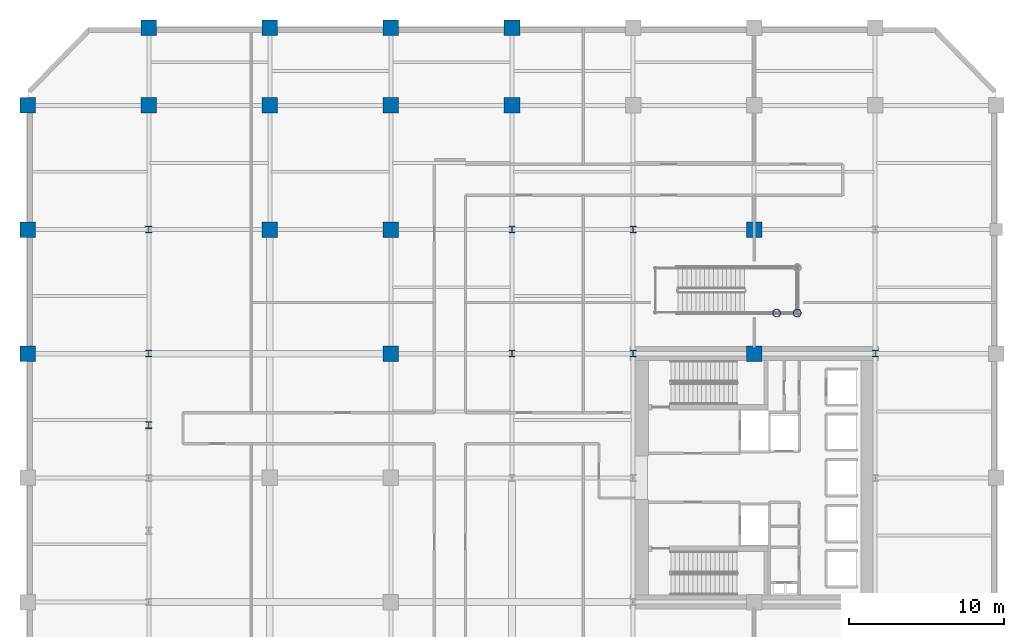
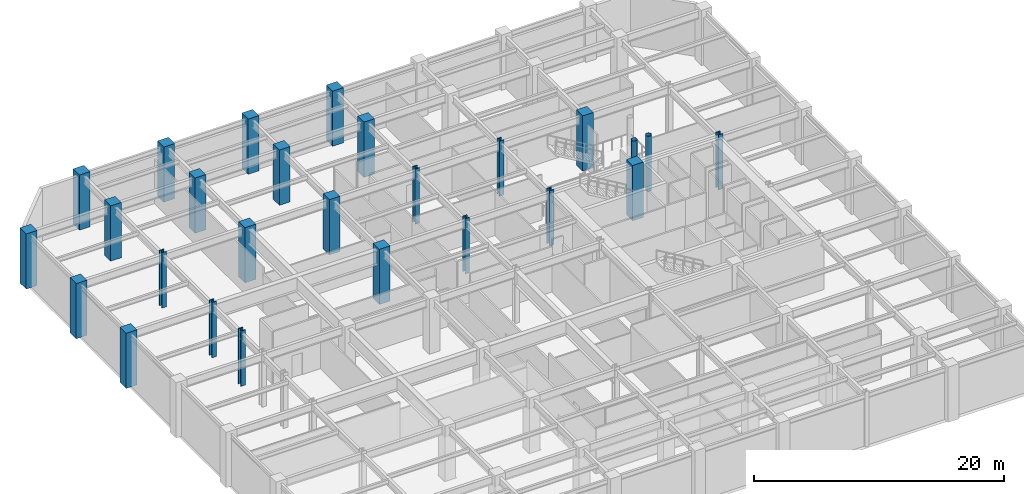
# One storey, part 3 of 12: 26 columns.
"""IFC4 building model written with IfcOpenShell, lengths in metres."""

from ifc_helpers import new_model, si_unit, direction, frame, origin, origin_2d, place, context, subcontext, project, spatial, rectangle, hollow_circle, i_section, extrude, material, material_profile, profile_set, type_object, element, save


model = new_model("IFC4")

# Units and contexts
model_context = context("Model", 3, precision=1e-05, world=origin(), true_north=direction((0.0, 1.0)))
body_context = subcontext(model_context, "Body", "Model", "MODEL_VIEW")
ifc_project = project(units=[si_unit("LENGTHUNIT", "METRE"), si_unit("AREAUNIT", "SQUARE_METRE"), si_unit("VOLUMEUNIT", "CUBIC_METRE"), si_unit("PLANEANGLEUNIT", "RADIAN"), si_unit("MASSUNIT", "GRAM", prefix="KILO")], contexts=[model_context])

# Site, building, storey
site_placement = place(None, origin())
site = spatial("IfcSite", under=ifc_project, at=site_placement, CompositionType="ELEMENT")
building_placement = place(site_placement, origin())
building = spatial("IfcBuilding", under=site, at=building_placement, Name="Veymaron Broadcast Tower", CompositionType="ELEMENT")
storey_placement = place(building_placement, frame((0.0, 0.0, 10.800048828125)))
storey = spatial("IfcBuildingStorey", under=building, at=storey_placement, Name="L02", CompositionType="ELEMENT", Elevation=10.800048828125)

# Columns
ifc_material_1 = material(Name="Structural steel ASTM A913 Gr 65", Category="steel")
ifc_material_profile_1 = material_profile(ifc_material_1, i_section(OverallWidth=0.424072265625, OverallDepth=0.47412109375, WebThickness=0.047607421875, FlangeThickness=0.076904296875, at=origin_2d()), Name="W360X634")
ifc_profile_set_1 = profile_set([ifc_material_profile_1], Name="Structural steel ASTM A913 Gr 65")
column_type_1 = type_object("IfcColumnType", Name="COL-MC1", PredefinedType="COLUMN", material=ifc_profile_set_1)
column_placement = place(storey_placement, frame((7.800048828125, 27.39990234375, 0.0), z_axis=(0.0, 0.0, 1.0), x_axis=(1.0, 0.0, 0.0)))
element("IfcColumn", 1, at=column_placement, inside=storey, type_object=column_type_1, Name="L02 Mega Column podium base", PredefinedType="COLUMN", context=body_context, shape_type="SweptSolid", body=[
    extrude(i_section(OverallWidth=0.424072265625, OverallDepth=0.47412109375, WebThickness=0.047607421875, FlangeThickness=0.076904296875, at=origin_2d()), origin(), (0.0, 0.0, 1.0), 5.39404296875),
])
ifc_material_profile_2 = material_profile(ifc_material_1, i_section(OverallWidth=0.41796875, OverallDepth=0.455078125, WebThickness=0.0419921875, FlangeThickness=0.067626953125, at=origin_2d()), Name="W360X551")
ifc_profile_set_2 = profile_set([ifc_material_profile_2], Name="Structural steel ASTM A913 Gr 65")
column_type_2 = type_object("IfcColumnType", Name="COL-MC2", PredefinedType="COLUMN", material=ifc_profile_set_2)
for number, where, z_axis, x_axis, name in (
    (2, (7.800048828125, 32.0, 0.0), (0.0, 0.0, 1.0), (1.0, 0.0, 0.0), "L02 column (7.8, 32.0)"),
    (3, (7.800048828125, 40.0, 0.0), (0.0, 0.0, 1.0), (1.0, 0.0, 0.0), "L02 column (7.8, 40.0)"),
    (4, (31.199951171875, 32.0, 0.0), (0.0, 0.0, 1.0), (1.0, 0.0, 0.0), "L02 column (31.2, 32.0)"),
    (5, (31.199951171875, 40.0, 0.0), (0.0, 0.0, 1.0), (1.0, 0.0, 0.0), "L02 column (31.2, 40.0)"),
    (6, (39.0, 32.0, 0.0), (0.0, 0.0, 1.0), (1.0, 0.0, 0.0), "L02 column (39.0, 32.0)"),
    (7, (39.0, 40.0, 0.0), (0.0, 0.0, 1.0), (1.0, 0.0, 0.0), "L02 column (39.0, 40.0)"),
    (8, (54.60009765625, 32.0, 0.0), (0.0, 0.0, 1.0), (1.0, 0.0, 0.0), "L02 column (54.6, 32.0)"),
):
    element("IfcColumn", number, at=place(storey_placement, frame(where, z_axis=z_axis, x_axis=x_axis)), inside=storey, type_object=column_type_2, Name=name, PredefinedType="COLUMN", context=body_context, shape_type="SweptSolid", body=[
        extrude(i_section(OverallWidth=0.41796875, OverallDepth=0.455078125, WebThickness=0.0419921875, FlangeThickness=0.067626953125, at=origin_2d()), origin(), (0.0, 0.0, 1.0), 5.39501953125),
    ])
ifc_material_2 = material(Name="Structural steel ASTM A992 Gr 50", Category="steel")
ifc_material_profile_3 = material_profile(ifc_material_2, hollow_circle(Radius=0.25390625, WallThickness=0.02001953125, at=origin_2d()), Name="CHS508X20")
ifc_profile_set_3 = profile_set([ifc_material_profile_3], Name="Structural steel ASTM A992 Gr 50")
column_type_3 = type_object("IfcColumnType", Name="COL-PL2", PredefinedType="COLUMN", material=ifc_profile_set_3)
for number, where, z_axis, x_axis, name in (
    (9, (48.25, 34.6201171875, 0.0), (0.0, 0.0, 1.0), (1.0, 0.0, 0.0), "L02 feature stair support column"),
    (10, (49.580078125, 34.6201171875, 0.0), (0.0, 0.0, 1.0), (1.0, 0.0, 0.0), "L02 feature stair support column"),
):
    element("IfcColumn", number, at=place(storey_placement, frame(where, z_axis=z_axis, x_axis=x_axis)), inside=storey, type_object=column_type_3, Name=name, PredefinedType="COLUMN", context=body_context, shape_type="SweptSolid", body=[
        extrude(hollow_circle(Radius=0.25390625, WallThickness=0.02001953125, at=origin_2d()), origin(), (0.0, 0.0, 1.0), 5.39404296875),
    ])
ifc_material_3 = material(Name="Concrete C60/75", Category="concrete")
ifc_material_profile_4 = material_profile(ifc_material_3, rectangle(XDim=1.0, YDim=1.0, at=origin_2d()), Name="RC1000X1000")
ifc_profile_set_4 = profile_set([ifc_material_profile_4], Name="Concrete C60/75")
column_type_4 = type_object("IfcColumnType", Name="COL-RC3", PredefinedType="COLUMN", material=ifc_profile_set_4)
for number, where, z_axis, x_axis, name in (
    (11, (0.0, 32.0, 0.0), (0.0, 0.0, 1.0), (1.0, 0.0, 0.0), "L02 column (0.0, 32.0)"),
    (12, (0.0, 40.0, 0.0), (0.0, 0.0, 1.0), (1.0, 0.0, 0.0), "L02 column (0.0, 40.0)"),
    (13, (0.0, 48.0, 0.0), (0.0, 0.0, 1.0), (1.0, 0.0, 0.0), "L02 column (0.0, 48.0)"),
    (14, (7.800048828125, 48.0, 0.0), (0.0, 0.0, 1.0), (1.0, 0.0, 0.0), "L02 column (7.8, 48.0)"),
    (15, (7.800048828125, 53.0, 0.0), (0.0, 0.0, 1.0), (1.0, 0.0, 0.0), "L02 column (7.8, 53.0)"),
    (16, (15.60009765625, 40.0, 0.0), (0.0, 0.0, 1.0), (1.0, 0.0, 0.0), "L02 column (15.6, 40.0)"),
    (17, (15.60009765625, 48.0, 0.0), (0.0, 0.0, 1.0), (1.0, 0.0, 0.0), "L02 column (15.6, 48.0)"),
    (18, (15.60009765625, 53.0, 0.0), (0.0, 0.0, 1.0), (1.0, 0.0, 0.0), "L02 column (15.6, 53.0)"),
    (19, (23.39990234375, 32.0, 0.0), (0.0, 0.0, 1.0), (1.0, 0.0, 0.0), "L02 column (23.4, 32.0)"),
    (20, (23.39990234375, 40.0, 0.0), (0.0, 0.0, 1.0), (1.0, 0.0, 0.0), "L02 column (23.4, 40.0)"),
    (21, (23.39990234375, 48.0, 0.0), (0.0, 0.0, 1.0), (1.0, 0.0, 0.0), "L02 column (23.4, 48.0)"),
    (22, (23.39990234375, 53.0, 0.0), (0.0, 0.0, 1.0), (1.0, 0.0, 0.0), "L02 column (23.4, 53.0)"),
    (23, (31.199951171875, 48.0, 0.0), (0.0, 0.0, 1.0), (1.0, 0.0, 0.0), "L02 column (31.2, 48.0)"),
    (24, (31.199951171875, 53.0, 0.0), (0.0, 0.0, 1.0), (1.0, 0.0, 0.0), "L02 column (31.2, 53.0)"),
    (25, (46.800048828125, 32.0, 0.0), (0.0, 0.0, 1.0), (1.0, 0.0, 0.0), "L02 column (46.8, 32.0)"),
    (26, (46.800048828125, 40.0, 0.0), (0.0, 0.0, 1.0), (1.0, 0.0, 0.0), "L02 column (46.8, 40.0)"),
):
    element("IfcColumn", number, at=place(storey_placement, frame(where, z_axis=z_axis, x_axis=x_axis)), inside=storey, type_object=column_type_4, Name=name, PredefinedType="COLUMN", context=body_context, shape_type="SweptSolid", body=[
        extrude(rectangle(XDim=1.0, YDim=1.0, at=origin_2d()), origin(), (0.0, 0.0, 1.0), 5.39501953125),
    ])

save(model, "model.ifc")
